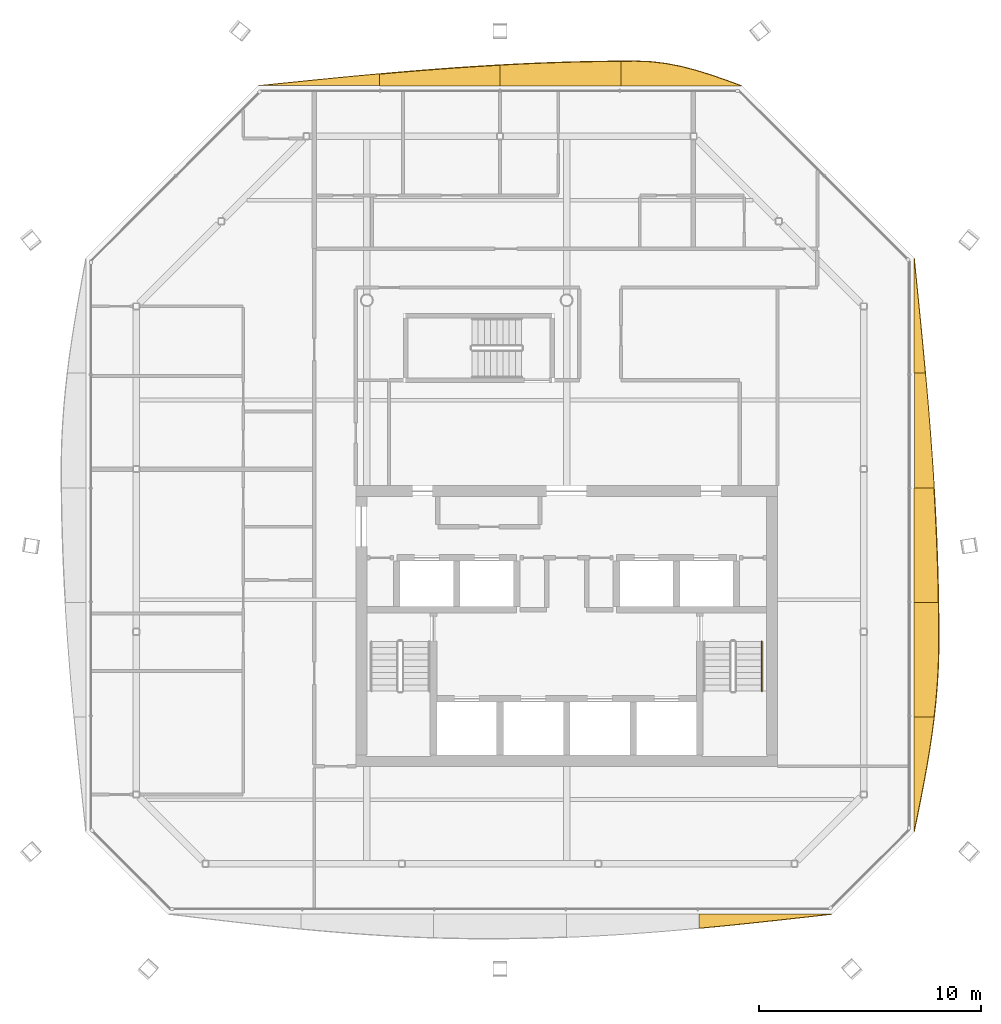
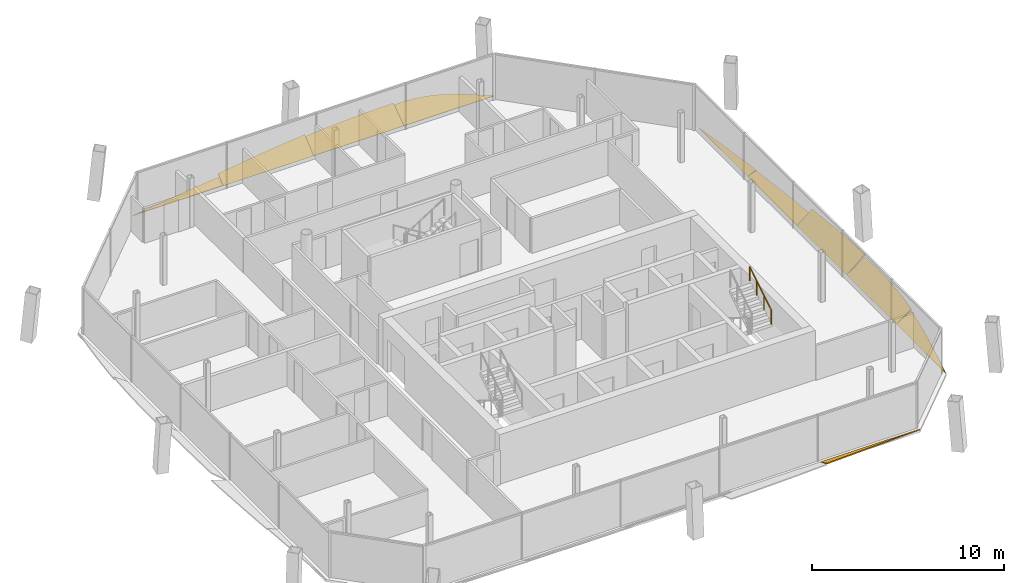
# One storey, part 17 of 17: 10 shading devices, 1 railing.
"""IFC4 building model written with IfcOpenShell, lengths in metres."""

import ifcopenshell
import ifcopenshell.guid

model = None  # the IFC model being written
_history = None  # IfcOwnerHistory: only IFC2X3 demands one
_inside = {}  # id of a spatial element -> (the spatial element, [elements in it])
_under = {}  # id of a project, library or spatial element -> (it, [spatial elements below it])
_declared = {}  # id of a project -> (the project, [libraries it declares])
_typed = {}  # id of a type object -> (the type object, [elements of that type])
_made_of = {}  # id of a material, layer set ... -> (it, [elements and type objects made of it])


def new_model(schema):
    """Start an empty IFC model of exactly this schema.

    Asked for "IFC4X3", IfcOpenShell would pick the latest addendum, in which some entities
    have other attributes; the version numbers below select the first issue.
    IFC2X3 requires an IfcOwnerHistory on every rooted entity: one is made here for all.
    """
    global model, _history
    if schema == "IFC4X3":
        model = ifcopenshell.file(schema_version=(4, 3, 0, 0))
    else:
        model = ifcopenshell.file(schema=schema)
    _inside.clear()
    _under.clear()
    _declared.clear()
    _typed.clear()
    _made_of.clear()
    _history = None
    if model.schema == "IFC2X3":
        org = make("IfcOrganization", Name="unknown")
        user = make(
            "IfcPersonAndOrganization",
            ThePerson=make("IfcPerson", FamilyName="unknown"),
            TheOrganization=org,
        )
        app = make(
            "IfcApplication",
            ApplicationDeveloper=org,
            Version="unknown",
            ApplicationFullName="unknown",
            ApplicationIdentifier="unknown",
        )
        _history = make(
            "IfcOwnerHistory",
            OwningUser=user,
            OwningApplication=app,
            ChangeAction="ADDED",
            CreationDate=0,
        )
    return model


def make(cls, **values):
    """One entity of the class cls with the attributes given. An attribute that is None is left unset."""
    return model.create_entity(
        cls, **{name: value for name, value in values.items() if value is not None}
    )


def rooted(cls, **values):
    """An entity with a GlobalId (a new one), such as an element, a storey or a relation."""
    return make(cls, GlobalId=ifcopenshell.guid.new(), OwnerHistory=_history, **values)


def si_unit(unit_type, name, prefix=None):
    """IfcSIUnit, for example si_unit("LENGTHUNIT", "METRE", prefix="MILLI")."""
    return make("IfcSIUnit", UnitType=unit_type, Prefix=prefix, Name=name)


def assignment(units):
    """IfcUnitAssignment: the units of a project."""
    return None if units is None else make("IfcUnitAssignment", Units=units)


def point(xyz):
    """IfcCartesianPoint."""
    return None if xyz is None else make("IfcCartesianPoint", Coordinates=xyz)


def direction(xyz):
    """IfcDirection."""
    return None if xyz is None else make("IfcDirection", DirectionRatios=xyz)


def frame(location, z_axis=None, x_axis=None):
    """IfcAxis2Placement3D, a coordinate frame: its origin and axes. An axis left out is left unset."""
    return make(
        "IfcAxis2Placement3D",
        Location=point(location),
        Axis=direction(z_axis),
        RefDirection=direction(x_axis),
    )


def frame_2d(location, x_axis=None):
    """IfcAxis2Placement2D, a coordinate frame in the plane: its origin and x axis."""
    return make(
        "IfcAxis2Placement2D", Location=point(location), RefDirection=direction(x_axis)
    )


def origin():
    """The frame at (0, 0, 0) with its axes left unset."""
    return frame((0.0, 0.0, 0.0))


def origin_2d():
    """The frame at (0, 0) in the plane with its x axis left unset."""
    return frame_2d((0.0, 0.0))


def place(relative_to, where):
    """IfcLocalPlacement: puts the frame where relative to a parent placement (None: the world)."""
    return make(
        "IfcLocalPlacement", PlacementRelTo=relative_to, RelativePlacement=where
    )


def context(
    kind, dimensions, precision=None, world=None, true_north=None, identifier=None
):
    """IfcGeometricRepresentationContext, for example the 3D "Model" context."""
    return make(
        "IfcGeometricRepresentationContext",
        ContextIdentifier=identifier,
        ContextType=kind,
        CoordinateSpaceDimension=dimensions,
        Precision=precision,
        WorldCoordinateSystem=world,
        TrueNorth=true_north,
    )


def subcontext(parent, identifier, kind, view, scale=None):
    """IfcGeometricRepresentationSubContext, for example "Body" below "Model"."""
    return make(
        "IfcGeometricRepresentationSubContext",
        ContextIdentifier=identifier,
        ContextType=kind,
        ParentContext=parent,
        TargetScale=scale,
        TargetView=view,
    )


def project(units=None, contexts=None):
    """IfcProject with its units and contexts."""
    return rooted(
        "IfcProject",
        Name="project",
        RepresentationContexts=contexts,
        UnitsInContext=assignment(units),
    )


def spatial(cls, under=None, at=None, **own):
    """A site, building, storey or space (cls), placed at a placement, below another one or the project."""
    s = rooted(cls, ObjectPlacement=at, **own)
    if under is not None:
        _under.setdefault(under.id(), (under, []))[1].append(s)
    return s


def polyline(points):
    """IfcPolyline through the points."""
    return make("IfcPolyline", Points=[point(p) for p in points])


def profile(cls, at=None, kind="AREA", **sizes):
    """A parametric profile (cls). Its sizes go by their IFC names, for example OverallWidth=200.0."""
    return make(cls, ProfileType=kind, Position=at, **sizes)


def circle(**sizes):
    """IfcCircleProfileDef."""
    return profile("IfcCircleProfileDef", **sizes)


def outline(outer, holes=None, kind="AREA"):
    """IfcArbitraryClosedProfileDef: a profile drawn as a closed curve; with holes, ...WithVoids."""
    if holes is None:
        return make("IfcArbitraryClosedProfileDef", ProfileType=kind, OuterCurve=outer)
    return make(
        "IfcArbitraryProfileDefWithVoids",
        ProfileType=kind,
        OuterCurve=outer,
        InnerCurves=holes,
    )


def extrude(swept, where, along, depth):
    """IfcExtrudedAreaSolid: the profile swept, set in the frame where, extruded along a direction by depth."""
    return make(
        "IfcExtrudedAreaSolid",
        SweptArea=swept,
        Position=where,
        ExtrudedDirection=direction(along),
        Depth=depth,
    )


def shape(context_of_items, identifier, shape_type, items):
    """IfcShapeRepresentation: the items that make up one representation, for example the "Body"."""
    return make(
        "IfcShapeRepresentation",
        ContextOfItems=context_of_items,
        RepresentationIdentifier=identifier,
        RepresentationType=shape_type,
        Items=items,
    )


def material(Name=None, Category=None):
    """IfcMaterial."""
    return make("IfcMaterial", Name=Name, Category=Category)


def layer(
    of_material, thickness, ventilated=None, Name=None, Category=None, Priority=None
):
    """IfcMaterialLayer: one layer of a wall or slab, of a material (None: an air gap)."""
    return make(
        "IfcMaterialLayer",
        Material=of_material,
        LayerThickness=thickness,
        IsVentilated=ventilated,
        Name=Name,
        Category=Category,
        Priority=Priority,
    )


def layer_set(layers, Name=None):
    """IfcMaterialLayerSet."""
    return make("IfcMaterialLayerSet", MaterialLayers=layers, LayerSetName=Name)


def made_of(thing, what):
    """Note that an element or type object is made of a material, layer set ...; save() writes the relation."""
    if what is not None:
        _made_of.setdefault(what.id(), (what, []))[1].append(thing)
    return thing


def type_object(cls, material=None, **own):
    """A type object (cls), such as IfcWallType, which elements share."""
    return made_of(rooted(cls, **own), material)


def element(
    cls,
    number,
    at=None,
    inside=None,
    cuts=None,
    type_object=None,
    material=None,
    context=None,
    identifier="Body",
    shape_type=None,
    held_by="IfcProductDefinitionShape",
    body=None,
    shapes=None,
    **own,
):
    """One element of the class cls, such as IfcWall. Its Tag is "e" and its number.

    at: its placement. inside: the storey or other place that contains it. cuts: it is an
    opening in that element (IfcRelVoidsElement). A single representation is given by context,
    identifier, shape_type and body (its items); several are given by shapes. held_by: the class
    of the entity that holds the representations. save() writes the other relations.
    """
    e = rooted(cls, Tag="e%d" % number, ObjectPlacement=at, **own)
    if body is not None:
        shapes = [shape(context, identifier, shape_type, body)]
    if shapes is not None:
        e.Representation = make(held_by, Representations=shapes)
    if inside is not None:
        _inside.setdefault(inside.id(), (inside, []))[1].append(e)
    if cuts is not None:
        rooted(
            "IfcRelVoidsElement", RelatingBuildingElement=cuts, RelatedOpeningElement=e
        )
    if type_object is not None:
        _typed.setdefault(type_object.id(), (type_object, []))[1].append(e)
    return made_of(e, material)


def aggregate(whole, parts):
    """IfcRelAggregates: a whole, such as a stair, and the parts it consists of."""
    return rooted("IfcRelAggregates", RelatingObject=whole, RelatedObjects=parts)


def save(model, path):
    """Write the relations noted so far, then the file.

    IfcRelAggregates (storeys below a building ...), IfcRelContainedInSpatialStructure (elements
    in a storey), IfcRelDefinesByType, IfcRelAssociatesMaterial and IfcRelDeclares: one each for
    every whole, place, type object, material and project.
    """
    for whole, parts in _under.values():
        aggregate(whole, parts)
    for where, things in _inside.values():
        rooted(
            "IfcRelContainedInSpatialStructure",
            RelatedElements=things,
            RelatingStructure=where,
        )
    for kind, things in _typed.values():
        rooted("IfcRelDefinesByType", RelatedObjects=things, RelatingType=kind)
    for what, things in _made_of.values():
        rooted("IfcRelAssociatesMaterial", RelatedObjects=things, RelatingMaterial=what)
    for by, libraries in _declared.values():
        rooted("IfcRelDeclares", RelatingContext=by, RelatedDefinitions=libraries)
    model.write(path)


model = new_model("IFC4")

# Units and contexts
model_context = context("Model", 3, precision=1e-05, world=origin(), true_north=direction((0.0, 1.0)))
body_context = subcontext(model_context, "Body", "Model", "MODEL_VIEW")
ifc_project = project(units=[si_unit("LENGTHUNIT", "METRE"), si_unit("AREAUNIT", "SQUARE_METRE"), si_unit("VOLUMEUNIT", "CUBIC_METRE"), si_unit("PLANEANGLEUNIT", "RADIAN"), si_unit("MASSUNIT", "GRAM", prefix="KILO")], contexts=[model_context])

# Site, building, storey
site_placement = place(None, origin())
site = spatial("IfcSite", under=ifc_project, at=site_placement, CompositionType="ELEMENT")
building_placement = place(site_placement, origin())
building = spatial("IfcBuilding", under=site, at=building_placement, Name="Tskaro Facet Tower", CompositionType="ELEMENT")
storey_placement = place(building_placement, frame((0.0, 0.0, 232.949951171875)))
storey = spatial("IfcBuildingStorey", under=building, at=storey_placement, Name="L60", CompositionType="ELEMENT", Elevation=232.949951171875)

# Shading devices
ifc_material_1 = material(Name="Bronze anodised aluminium 6063-T6", Category="aluminium")
ifc_layer = layer(ifc_material_1, 0.06005859375, Name="Bronze anodised aluminium 6063-T6")
ifc_layer_set = layer_set([ifc_layer], Name="Bronze anodised aluminium 6063-T6")
shading_device_type = type_object("IfcShadingDeviceType", Name="Bronze sun blade (FN1)", PredefinedType="USERDEFINED", material=ifc_layer_set)
shading_device_1_placement = place(storey_placement, frame((5.96875, -18.66162109375, 0.054443359375), z_axis=(-9.80393e-07, 0.422647091032, 0.906294343159), x_axis=(1.0, 4.1436e-07, 8.88525e-07)))
element("IfcShadingDevice", 1, at=shading_device_1_placement, inside=storey, type_object=shading_device_type, Name="Fin blade south 5", ObjectType="FIN", PredefinedType="USERDEFINED", context=body_context, shape_type="SweptSolid", body=[
    extrude(outline(polyline([(0.0, 0.0), (5.979248046872127, 0.0), (5.231933593771456, -0.09294866456202203), (4.484374999930021, -0.18557288053171228), (3.7370605467855484, -0.2768844095146204), (2.9897460938141984, -0.3666619882433736), (2.2421875000582836, -0.45447798280068097), (1.4948730468543658, -0.5395654180594652), (0.7475585937797693, -0.6214817674849807), (-7.430902449660355e-12, -0.7001238457522683), (0.0, 0.0)])), origin(), (0.0, 0.0, -1.0), 0.06005859375),
])
shading_device_2_placement = place(storey_placement, frame((15.656982421875, -14.947998046875, 0.052001953125), z_axis=(-0.499952060365, 1.4349491e-05, 0.866053079858), x_axis=(7.174058e-06, 0.999999999897, -1.2427421e-05)))
element("IfcShadingDevice", 2, at=shading_device_2_placement, inside=storey, type_object=shading_device_type, Name="Fin blade east 1", ObjectType="FIN", PredefinedType="USERDEFINED", context=body_context, shape_type="SweptSolid", body=[
    extrude(outline(polyline([(0.0, 0.0), (5.1662597650931135, 4.375992235558655e-21), (5.16625976614181, -1.0427070292266483), (4.428222657238278, -0.9319043001901178), (3.690185544651836, -0.804053815311079), (2.9521484367951567, -0.6616361378172461), (2.2141113294758417, -0.5070751292813908), (1.4760742189704128, -0.3433395873652276), (0.7380371076234669, -0.1731541925134711), (0.0, 0.0)])), origin(), (0.0, 0.0, -1.0), 0.06005859375),
])
shading_device_3_placement = place(storey_placement, frame((15.652587890625, -9.78173828125, 0.04931640625), z_axis=(-0.573541762944, 4.585545e-06, 0.819176321764), x_axis=(2.630001e-06, 0.999999999989, -3.75637e-06)))
element("IfcShadingDevice", 3, at=shading_device_3_placement, inside=storey, type_object=shading_device_type, Name="Fin blade east 2", ObjectType="FIN", PredefinedType="USERDEFINED", context=body_context, shape_type="SweptSolid", body=[
    extrude(outline(polyline([(0.0, 0.0), (5.166259765570684, 2.1879961177793273e-21), (5.166259765891857, -1.3413922654668102), (4.428222656162817, -1.352772716596447), (3.690185547073219, -1.3583929297390305), (3.4096679686761764, -1.3587329488026834), (2.95214843724545, -1.3539927680065884), (2.2141113277741806, -1.3262916907320368), (1.4760742185673046, -1.2744096655688875), (0.7380371097169283, -1.1992267248636286), (1.2308237367905365e-10, -1.1021029448708717), (0.0, 0.0)])), origin(), (0.0, 0.0, -1.0), 0.06005859375),
])
shading_device_4_placement = place(storey_placement, frame((15.6484375, -4.615478515625, 0.0458984375), z_axis=(-0.642833008866, -8.260677e-06, 0.766006346347), x_axis=(-5.310236e-06, 0.999999999966, 6.327731e-06)))
element("IfcShadingDevice", 4, at=shading_device_4_placement, inside=storey, type_object=shading_device_type, Name="Fin blade east 3", ObjectType="FIN", PredefinedType="USERDEFINED", context=body_context, shape_type="SweptSolid", body=[
    extrude(outline(polyline([(0.0, 0.0), (5.166015624823739, 4.3757854404055164e-21), (5.166015625169907, -1.173876514688784), (4.427978515290961, -1.2286423947805956), (3.689941405823583, -1.2780318661778818), (2.9519042965193583, -1.3217009739599246), (2.2138671884263212, -1.3591187499378479), (1.4758300774067252, -1.390502278995407), (0.7377929691431725, -1.4157914179014075), (-3.7391413972407306e-10, -1.4345153416981677), (0.0, 0.0)])), origin(), (0.0, 0.0, -1.0), 0.06005859375),
])
shading_device_5_placement = place(storey_placement, frame((15.66650390625, 0.550537109375, 0.056396484375), z_axis=(-0.342065165515, 9.585612e-06, 0.939676232779), x_axis=(3.278904e-06, 0.999999999954, -9.007372e-06)))
element("IfcShadingDevice", 5, at=shading_device_5_placement, inside=storey, type_object=shading_device_type, Name="Fin blade east 4", ObjectType="FIN", PredefinedType="USERDEFINED", context=body_context, shape_type="SweptSolid", body=[
    extrude(outline(polyline([(0.0, 0.0), (5.166259765387652, 0.0), (5.166259765551714, -0.5367685794651462), (4.428222655239876, -0.6064354780535962), (3.6901855479182273, -0.6733906851977415), (2.952148437587611, -0.7373423986186309), (2.214111327845644, -0.797894181166879), (1.4760742178918125, -0.854816619699707), (0.7380371099251821, -0.9080262022138115), (-6.548535453497465e-10, -0.9569182012841595), (0.0, 0.0)])), origin(), (0.0, 0.0, -1.0), 0.06005859375),
])
shading_device_6_placement = place(storey_placement, frame((15.66162109375, 5.716796875, 0.054443359375), z_axis=(-0.422585697138, -1.3044912e-05, 0.906322971354), x_axis=(-5.512593e-06, 0.999999999915, 1.1822904e-05)))
element("IfcShadingDevice", 6, at=shading_device_6_placement, inside=storey, type_object=shading_device_type, Name="Fin blade east 5", ObjectType="FIN", PredefinedType="USERDEFINED", context=body_context, shape_type="SweptSolid", body=[
    extrude(outline(polyline([(0.0, 0.0), (5.16625976518543, 0.0), (4.4282226568062475, -0.0824620566293563), (3.6901855468864624, -0.16459967266579142), (2.9521484381177694, -0.24597030759591115), (2.214111326073116, -0.32614635049057034), (1.4760742192170988, -0.40489160150882264), (0.7380371088903654, -0.4818965496419962), (-8.695404449717184e-10, -0.5564973841199995), (0.0, 0.0)])), origin(), (0.0, 0.0, -1.0), 0.06005859375),
])
shading_device_7_placement = place(storey_placement, frame((7.883056640625, 18.656982421875, 0.052001953125), z_axis=(-1.056094e-05, -0.500035341047, 0.866004998596), x_axis=(-0.999999999944, 5.280843e-06, -9.145827e-06)))
element("IfcShadingDevice", 7, at=shading_device_7_placement, inside=storey, type_object=shading_device_type, Name="Fin blade north 1", ObjectType="FIN", PredefinedType="USERDEFINED", context=body_context, shape_type="SweptSolid", body=[
    extrude(outline(polyline([(0.0, 0.0), (5.441650390321537, 0.0), (5.441650390748694, -1.2826942345784205), (4.761474609975701, -1.2852074722964795), (4.745117188101613, -1.2852074722964795), (4.081298827614788, -1.254259528854453), (3.4008789061055986, -1.160081674759117), (2.72070312499772, -1.0072775314433446), (2.0405273440397953, -0.8037203180036275), (1.360351561465991, -0.5593736372512703), (0.6801757807609548, -0.2870151047781897), (0.0, 0.0)])), origin(), (0.0, 0.0, -1.0), 0.06005859375),
])
shading_device_8_placement = place(storey_placement, frame((2.44140625, 18.652587890625, 0.04931640625), z_axis=(2.087581e-06, -0.573479175962, 0.81922013814), x_axis=(-0.999999999998, -1.197184e-06, 1.710188e-06)))
element("IfcShadingDevice", 8, at=shading_device_8_placement, inside=storey, type_object=shading_device_type, Name="Fin blade north 2", ObjectType="FIN", PredefinedType="USERDEFINED", context=body_context, shape_type="SweptSolid", body=[
    extrude(outline(polyline([(0.0, 0.0), (5.441406249988143, 0.0), (5.441406249980723, -1.1464646709714907), (4.7612304686468345, -1.189946364359407), (4.081054687396655, -1.2286878738738223), (3.4008789062301847, -1.262689199514737), (2.7207031250221796, -1.2916103268011683), (2.0405273437726392, -1.3154512557331162), (1.3603515624815634, -1.3342119863105808), (0.6801757814412336, -1.3476925136170235), (-5.815801647696498e-11, -1.355952833004539), (0.0, 0.0)])), origin(), (0.0, 0.0, -1.0), 0.06005859375),
])
shading_device_9_placement = place(storey_placement, frame((-3.0, 18.6484375, 0.0458984375), z_axis=(2.2744971e-05, -0.642862630606, 0.765981486495), x_axis=(-0.999999999741, -1.4621892e-05, 1.7422227e-05)))
element("IfcShadingDevice", 9, at=shading_device_9_placement, inside=storey, type_object=shading_device_type, Name="Fin blade north 3", ObjectType="FIN", PredefinedType="USERDEFINED", context=body_context, shape_type="SweptSolid", body=[
    extrude(outline(polyline([(0.0, 0.0), (5.441406248592489, 0.0), (5.441406251353906, -0.6993936395720608), (4.761230469008759, -0.7780728367847202), (4.081054687650128, -0.8532824148492901), (3.4008789043918903, -0.9255533370480359), (2.720703125006291, -0.993823676816427), (2.040527342353735, -1.0584674485522627), (1.3603515628901424, -1.1187666817743782), (0.6801757787922413, -1.174751434797207), (-2.8003720194651064e-09, -1.22604769322295), (0.0, 0.0)])), origin(), (0.0, 0.0, -1.0), 0.06005859375),
])
shading_device_10_placement = place(storey_placement, frame((-8.44140625, 18.66650390625, 0.056396484375), z_axis=(-1.6199216e-05, -0.342041869847, 0.939684712555), x_axis=(-0.999999999869, 5.54081e-06, -1.5222155e-05)))
element("IfcShadingDevice", 10, at=shading_device_10_placement, inside=storey, type_object=shading_device_type, Name="Fin blade north 4", ObjectType="FIN", PredefinedType="USERDEFINED", context=body_context, shape_type="SweptSolid", body=[
    extrude(outline(polyline([(0.0, 0.0), (5.441650389911016, -4.6092571682986085e-21), (4.761474609132953, -0.07429740778678795), (4.081298827002153, -0.1483654003605197), (3.4011230445294904, -0.22166164097919136), (2.720947266784046, -0.2943320385399677), (2.040771484638528, -0.3655424385065153), (1.360351563889787, -0.4356681649890551), (0.6801757803768126, -0.5037915571353623), (-1.4562797926828825e-09, -0.5700585238426017), (0.0, 0.0)])), origin(), (0.0, 0.0, -1.0), 0.06005859375),
])

# Railing
ifc_material_2 = material(Name="Stainless steel", Category="steel")
railing_type = type_object("IfcRailingType", Name="RL-HANDRAIL-900", PredefinedType="HANDRAIL", material=ifc_material_2)
railing_placement = place(storey_placement, frame((8.800048828125, -8.614990234375, 1.75)))
element("IfcRailing", 11, at=railing_placement, inside=storey, type_object=railing_type, Name="L60 ST-2 stair handrail 2", PredefinedType="HANDRAIL", context=body_context, shape_type="SweptSolid", body=[
    extrude(circle(Radius=0.02392578125, at=origin_2d()), frame((0.0, 0.0, 0.8759765625), z_axis=(0.0, 0.847972341737, 0.530040477369), x_axis=(-1.0, 0.0, 0.0)), (0.0, 0.0, 1.0), 2.6416015625),
    extrude(circle(Radius=0.02099609375, at=origin_2d()), origin(), (0.0, 0.0, 1.0), 0.851806640625),
    extrude(circle(Radius=0.02099609375, at=origin_2d()), frame((0.0, 0.74658203125, 0.466796875)), (0.0, 0.0, 1.0), 0.851806640625),
    extrude(circle(Radius=0.02099609375, at=origin_2d()), frame((0.0, 1.493408203125, 0.933349609375)), (0.0, 0.0, 1.0), 0.851806640625),
    extrude(circle(Radius=0.02099609375, at=origin_2d()), frame((0.0, 2.239990234375, 1.400146484375)), (0.0, 0.0, 1.0), 0.851806640625),
])

save(model, "model.ifc")
